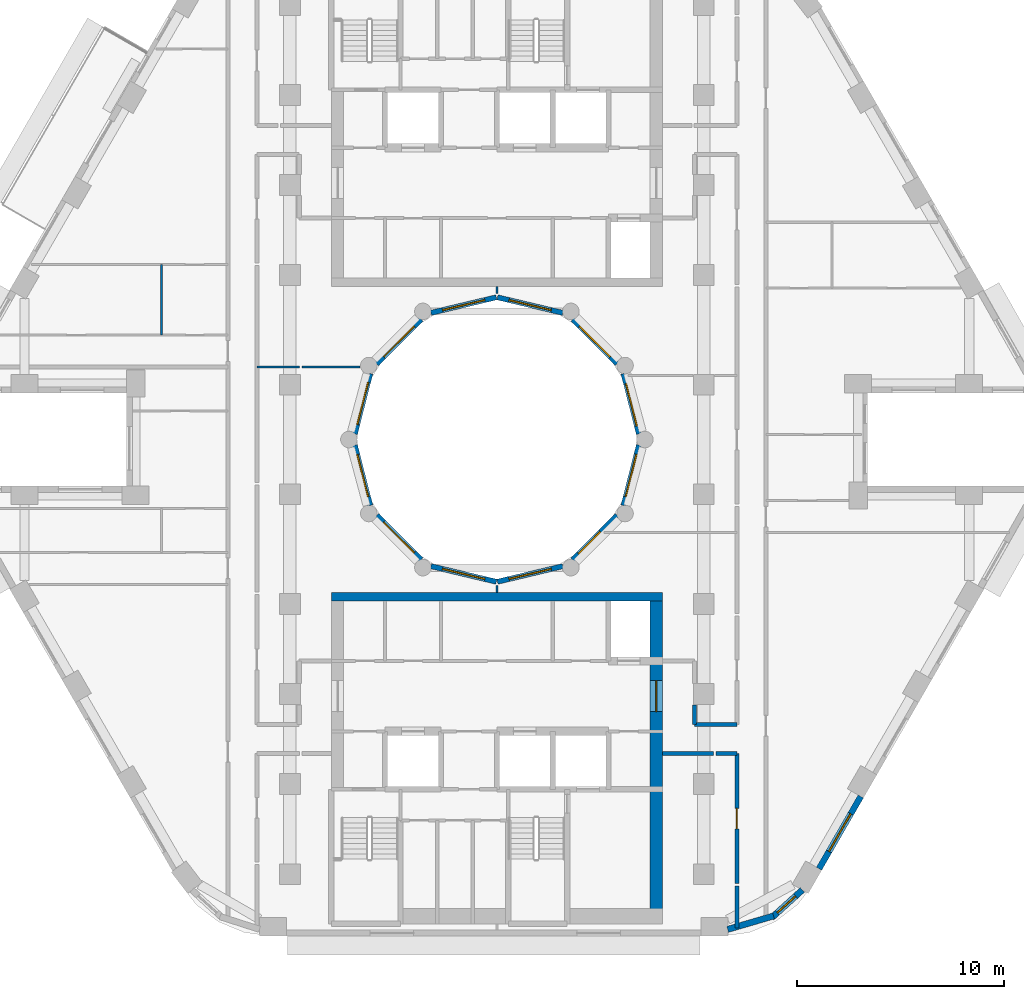
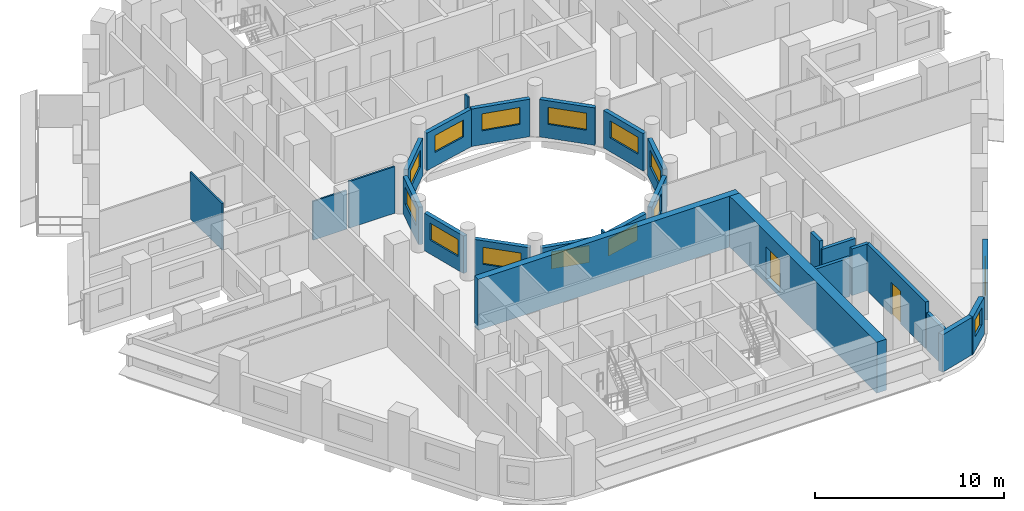
# One storey, part 5 of 13: 28 walls, 14 windows, 2 doors, 16 openings.
"""IFC4 building model written with IfcOpenShell, lengths in metres."""

from ifc_helpers import new_model, si_unit, direction, frame, frame_2d, origin, place, context, subcontext, project, spatial, rectangle, extrude, material, layer, layer_set, type_object, element, fill, save


model = new_model("IFC4")

# Units and contexts
model_context = context("Model", 3, precision=1e-05, world=origin(), true_north=direction((0.0, 1.0)))
body_context = subcontext(model_context, "Body", "Model", "MODEL_VIEW")
ifc_project = project(units=[si_unit("LENGTHUNIT", "METRE"), si_unit("AREAUNIT", "SQUARE_METRE"), si_unit("VOLUMEUNIT", "CUBIC_METRE"), si_unit("PLANEANGLEUNIT", "RADIAN"), si_unit("MASSUNIT", "GRAM", prefix="KILO")], contexts=[model_context])

# Site, building, storey
site_placement = place(None, origin())
site = spatial("IfcSite", under=ifc_project, at=site_placement, CompositionType="ELEMENT")
building_placement = place(site_placement, origin())
building = spatial("IfcBuilding", under=site, at=building_placement, Name="Nakaniwa Court", CompositionType="ELEMENT")
storey_placement = place(building_placement, frame((0.0, 0.0, 143.699951171875)))
storey = spatial("IfcBuildingStorey", under=building, at=storey_placement, Name="L37", CompositionType="ELEMENT", Elevation=143.699951171875)

# Wall
ifc_material_1 = material(Name="Acoustic double stud partition")
ifc_layer_1 = layer(ifc_material_1, 0.199951171875)
ifc_layer_set_1 = layer_set([ifc_layer_1], Name="Acoustic double stud partition")
wall_type_1 = type_object("IfcWallType", Name="Acoustic double stud partition 200", PredefinedType="PARTITIONING", material=ifc_layer_set_1)
wall_1_placement = place(storey_placement, frame((91.60009765625, 56.40087890625, 0.0), z_axis=(0.0, 0.0, 1.0), x_axis=(0.0, 1.0, 0.0)))
element("IfcWall", 1, at=wall_1_placement, inside=storey, type_object=wall_type_1, Name="Partition PW-071", PredefinedType="PARTITIONING", context=body_context, shape_type="SweptSolid", body=[
    extrude(rectangle(XDim=2.02197265625, YDim=0.199951171875, at=frame_2d((1.010986328125, 0.0))), origin(), (0.0, 0.0, 1.0), 2.405029296875),
])

# Wall, opening, door
wall_2_placement = place(storey_placement, frame((91.60009765625, 58.537109375, 0.0), z_axis=(0.0, 0.0, 1.0), x_axis=(0.0, 1.0, 0.0)))
wall_2 = element("IfcWall", 2, at=wall_2_placement, inside=storey, type_object=wall_type_1, Name="Partition PW-072", PredefinedType="PARTITIONING", context=body_context, shape_type="SweptSolid", body=[
    extrude(rectangle(XDim=6.287841796875, YDim=0.199951171875, at=frame_2d((3.14404296875, 0.0))), origin(), (0.0, 0.0, 1.0), 3.025146484375),
])
opening_1_placement = place(wall_2_placement, frame((2.64501953125, 0.0, 0.0)))
opening_1 = element("IfcOpeningElement", 3, at=opening_1_placement, cuts=wall_2, Name="Opening D-02-01", PredefinedType="OPENING", context=body_context, shape_type="SweptSolid", body=[
    extrude(rectangle(XDim=1.0, YDim=2.10009765625, at=frame_2d((0.5, 1.050048828125))), frame((0.0, 0.10986328125, 0.0), z_axis=(0.0, -1.0, 0.0), x_axis=(1.0, 0.0, 0.0)), (0.0, 0.0, 1.0), 0.219970703125),
])
ifc_material_2 = material(Name="Solid core timber door set, black veneer", Category="wood")
door_type_1 = type_object("IfcDoorType", Name="Internal door 1000", OperationType="NOTDEFINED", PredefinedType="DOOR", material=ifc_material_2)
door_1_placement = place(opening_1_placement, origin())
door_1 = element("IfcDoor", 4, at=door_1_placement, inside=storey, type_object=door_type_1, Name="Door D-02-01 L37-027", OperationType="SINGLE_SWING_RIGHT", OverallHeight=2.10009765625, OverallWidth=1.0, PredefinedType="DOOR", context=body_context, shape_type="SweptSolid", body=[
    extrude(rectangle(XDim=1.0, YDim=2.10009765625, at=frame_2d((0.5, 1.050048828125))), frame((0.0, 0.02490234375, 0.0), z_axis=(0.0, -1.0, 0.0), x_axis=(1.0, 0.0, 0.0)), (0.0, 0.0, 1.0), 0.050048828125),
])
fill(opening_1, door_1)

# Walls
wall_3_placement = place(storey_placement, frame((88.0, 64.824951171875, 0.0), z_axis=(0.0, 0.0, 1.0), x_axis=(1.0, 0.0, 0.0)))
element("IfcWall", 5, at=wall_3_placement, inside=storey, type_object=wall_type_1, Name="Partition PW-081", PredefinedType="PARTITIONING", context=body_context, shape_type="SweptSolid", body=[
    extrude(rectangle(XDim=2.462890625, YDim=0.199951171875, at=frame_2d((1.2314453125, 0.0))), origin(), (0.0, 0.0, 1.0), 2.505126953125),
])
wall_4_placement = place(storey_placement, frame((90.5771484375, 64.824951171875, 0.0), z_axis=(0.0, 0.0, 1.0), x_axis=(1.0, 0.0, 0.0)))
element("IfcWall", 6, at=wall_4_placement, inside=storey, type_object=wall_type_1, Name="Partition PW-082", PredefinedType="PARTITIONING", context=body_context, shape_type="SweptSolid", body=[
    extrude(rectangle(XDim=1.02294921875, YDim=0.199951171875, at=frame_2d((0.511474609375, 0.0))), origin(), (0.0, 0.0, 1.0), 3.025146484375),
])
wall_5_placement = place(storey_placement, frame((89.550048828125, 66.22509765625, 0.0), z_axis=(0.0, 0.0, 1.0), x_axis=(0.0, 1.0, 0.0)))
element("IfcWall", 7, at=wall_5_placement, inside=storey, type_object=wall_type_1, Name="Partition PW-086", PredefinedType="PARTITIONING", context=body_context, shape_type="SweptSolid", body=[
    extrude(rectangle(XDim=0.957763671875, YDim=0.199951171875, at=frame_2d((0.47900390625, 0.0))), origin(), (0.0, 0.0, 1.0), 3.025146484375),
])
wall_6_placement = place(storey_placement, frame((89.550048828125, 66.22509765625, 0.0), z_axis=(0.0, 0.0, 1.0), x_axis=(1.0, 0.0, 0.0)))
element("IfcWall", 8, at=wall_6_placement, inside=storey, type_object=wall_type_1, Name="Partition PW-091", PredefinedType="PARTITIONING", context=body_context, shape_type="SweptSolid", body=[
    extrude(rectangle(XDim=2.050048828125, YDim=0.199951171875, at=frame_2d((1.02490234375, 0.0))), origin(), (0.0, 0.0, 1.0), 2.505126953125),
])
ifc_material_3 = material(Name="Charcoal ceramic cladding")
ifc_layer_2 = layer(ifc_material_3, 0.02, Name="Ceramic cladding")
ifc_material_4 = material(Name="Ventilated air cavity")
ifc_layer_3 = layer(ifc_material_4, 0.04, ventilated=True, Name="Ventilated cavity")
ifc_material_5 = material(Name="Mineral wool insulation")
ifc_layer_4 = layer(ifc_material_5, 0.1, Name="Insulation")
ifc_material_6 = material(Name="Cement bonded sheathing board")
ifc_layer_5 = layer(ifc_material_6, 0.012, Name="Sheathing")
ifc_material_7 = material(Name="Cold-formed galvanised stud frame with mineral wool infill")
ifc_layer_6 = layer(ifc_material_7, 0.1, Name="Stud frame")
ifc_material_8 = material(Name="Fire-rated gypsum plasterboard lining")
ifc_layer_7 = layer(ifc_material_8, 0.028, Name="Lining")
ifc_layer_set_2 = layer_set([ifc_layer_2, ifc_layer_3, ifc_layer_4, ifc_layer_5, ifc_layer_6, ifc_layer_7], Name="Charcoal ceramic faced external wall system")
wall_type_2 = type_object("IfcWallType", Name="Black ceramic faced external wall 300", PredefinedType="SOLIDWALL", material=ifc_layer_set_2)
wall_7_placement = place(storey_placement, frame((91.1533203125, 56.328125, 0.0), z_axis=(0.0, 0.0, 1.0), x_axis=(0.959473072336, 0.281800325517, 0.0)))
element("IfcWall", 9, at=wall_7_placement, inside=storey, type_object=wall_type_2, Name="L37 external wall 27", PredefinedType="SOLIDWALL", context=body_context, shape_type="SweptSolid", body=[
    extrude(rectangle(XDim=2.3115234375, YDim=0.300048828125, at=frame_2d((1.15576171875, 0.0))), origin(), (0.0, 0.0, 1.0), 2.425048828125),
])

# Wall, opening, window
wall_8_placement = place(storey_placement, frame((93.2783203125, 56.890380859375, 0.0), z_axis=(0.0, 0.0, 1.0), x_axis=(0.740652597499, 0.671888182526, 0.0)))
wall_8 = element("IfcWall", 10, at=wall_8_placement, inside=storey, type_object=wall_type_2, Name="L37 external wall 28", PredefinedType="SOLIDWALL", context=body_context, shape_type="SweptSolid", body=[
    extrude(rectangle(XDim=1.998779296875, YDim=0.300048828125, at=frame_2d((0.99951171875, 0.0))), origin(), (0.0, 0.0, 1.0), 2.425048828125),
])
opening_2_placement = place(wall_8_placement, frame((0.359619140625, 0.0, 0.89990234375)))
opening_2 = element("IfcOpeningElement", 11, at=opening_2_placement, cuts=wall_8, Name="Opening W6.29", PredefinedType="OPENING", context=body_context, shape_type="SweptSolid", body=[
    extrude(rectangle(XDim=1.199951171875, YDim=1.10009765625, at=frame_2d((0.60009765625, 0.550048828125))), frame((0.0, 0.159912109375, 0.0), z_axis=(0.0, -1.0, 0.0), x_axis=(1.0, 0.0, 0.0)), (0.0, 0.0, 1.0), 0.320068359375),
])
ifc_material_9 = material(Name="Black anodised aluminium frame with dark low-E laminated double glazing", Category="aluminium")
window_type_1 = type_object("IfcWindowType", Name="Dark glass window 1200x1100 sill 900", PartitioningType="SINGLE_PANEL", PredefinedType="WINDOW", material=ifc_material_9)
window_1_placement = place(opening_2_placement, origin())
window_1 = element("IfcWindow", 12, at=window_1_placement, inside=storey, type_object=window_type_1, Name="L37 habitable room window 28-0", OverallHeight=1.10009765625, OverallWidth=1.199951171875, PartitioningType="SINGLE_PANEL", PredefinedType="WINDOW", context=body_context, shape_type="SweptSolid", body=[
    extrude(rectangle(XDim=1.199951171875, YDim=1.10009765625, at=frame_2d((0.60009765625, 0.550048828125))), frame((0.0, 0.030029296875, 0.0), z_axis=(0.0, -1.0, 0.0), x_axis=(1.0, 0.0, 0.0)), (0.0, 0.0, 1.0), 0.06005859375),
])
fill(opening_2, window_1)

wall_9_placement = place(storey_placement, frame((95.565185546875, 59.260009765625, 0.0), z_axis=(0.0, 0.0, 1.0), x_axis=(0.500031546601, 0.86600718958, 0.0)))
wall_9 = element("IfcWall", 13, at=wall_9_placement, inside=storey, type_object=wall_type_2, Name="L37 external wall 29", PredefinedType="SOLIDWALL", context=body_context, shape_type="SweptSolid", body=[
    extrude(rectangle(XDim=4.033935546875, YDim=0.300048828125, at=frame_2d((2.01708984375, 0.0))), origin(), (0.0, 0.0, 1.0), 2.425048828125),
])
opening_3_placement = place(wall_9_placement, frame((0.967041015625, 0.0, 0.89990234375)))
opening_3 = element("IfcOpeningElement", 14, at=opening_3_placement, cuts=wall_9, Name="Opening W7.30", PredefinedType="OPENING", context=body_context, shape_type="SweptSolid", body=[
    extrude(rectangle(XDim=2.10009765625, YDim=1.10009765625, at=frame_2d((1.050048828125, 0.550048828125))), frame((0.0, 0.159912109375, 0.0), z_axis=(0.0, -1.0, 0.0), x_axis=(1.0, 0.0, 0.0)), (0.0, 0.0, 1.0), 0.320068359375),
])
window_type_2 = type_object("IfcWindowType", Name="Dark glass window 2100x1100 sill 900", PartitioningType="SINGLE_PANEL", PredefinedType="WINDOW", material=ifc_material_9)
window_2_placement = place(opening_3_placement, origin())
window_2 = element("IfcWindow", 15, at=window_2_placement, inside=storey, type_object=window_type_2, Name="L37 habitable room window 29-0", OverallHeight=1.10009765625, OverallWidth=2.10009765625, PartitioningType="SINGLE_PANEL", PredefinedType="WINDOW", context=body_context, shape_type="SweptSolid", body=[
    extrude(rectangle(XDim=2.10009765625, YDim=1.10009765625, at=frame_2d((1.050048828125, 0.550048828125))), frame((0.0, 0.030029296875, 0.0), z_axis=(0.0, -1.0, 0.0), x_axis=(1.0, 0.0, 0.0)), (0.0, 0.0, 1.0), 0.06005859375),
])
fill(opening_3, window_2)

ifc_layer_8 = layer(ifc_material_3, 0.02, Name="Ceramic cladding")
ifc_layer_9 = layer(ifc_material_4, 0.04, ventilated=True, Name="Ventilated cavity")
ifc_layer_10 = layer(ifc_material_5, 0.075, Name="Insulation")
ifc_layer_11 = layer(ifc_material_6, 0.012, Name="Sheathing")
ifc_layer_12 = layer(ifc_material_7, 0.075, Name="Stud frame")
ifc_layer_13 = layer(ifc_material_8, 0.028, Name="Lining")
ifc_layer_set_3 = layer_set([ifc_layer_8, ifc_layer_9, ifc_layer_10, ifc_layer_11, ifc_layer_12, ifc_layer_13], Name="Charcoal ceramic faced external wall system")
wall_type_3 = type_object("IfcWallType", Name="Charcoal ceramic faced well wall 250", PredefinedType="SOLIDWALL", material=ifc_layer_set_3)
wall_10_placement = place(storey_placement, frame((86.8603515625, 79.72998046875, 0.0), z_axis=(0.0, 0.0, 1.0), x_axis=(-0.247055971283, -0.969001211069, 0.0)))
wall_10 = element("IfcWall", 16, at=wall_10_placement, inside=storey, type_object=wall_type_3, Name="L37 external wall 36", PredefinedType="SOLIDWALL", context=body_context, shape_type="SweptSolid", body=[
    extrude(rectangle(XDim=3.010009765625, YDim=0.25, at=frame_2d((1.5048828125, 0.0))), origin(), (0.0, 0.0, 1.0), 2.425048828125),
])
opening_4_placement = place(wall_10_placement, frame((0.46875, 0.0, 0.89990234375)))
opening_4 = element("IfcOpeningElement", 17, at=opening_4_placement, cuts=wall_10, Name="Opening W7.36", PredefinedType="OPENING", context=body_context, shape_type="SweptSolid", body=[
    extrude(rectangle(XDim=2.10009765625, YDim=1.10009765625, at=frame_2d((1.050048828125, 0.550048828125))), frame((0.0, 0.135009765625, 0.0), z_axis=(0.0, -1.0, 0.0), x_axis=(1.0, 0.0, 0.0)), (0.0, 0.0, 1.0), 0.27001953125),
])
window_3_placement = place(opening_4_placement, origin())
window_3 = element("IfcWindow", 18, at=window_3_placement, inside=storey, type_object=window_type_2, Name="L37 habitable room window 36-0", OverallHeight=1.10009765625, OverallWidth=2.10009765625, PartitioningType="SINGLE_PANEL", PredefinedType="WINDOW", context=body_context, shape_type="SweptSolid", body=[
    extrude(rectangle(XDim=2.10009765625, YDim=1.10009765625, at=frame_2d((1.050048828125, 0.550048828125))), frame((0.0, 0.030029296875, 0.0), z_axis=(0.0, -1.0, 0.0), x_axis=(1.0, 0.0, 0.0)), (0.0, 0.0, 1.0), 0.06005859375),
])
fill(opening_4, window_3)

wall_11_placement = place(storey_placement, frame((85.8056640625, 76.339111328125, 0.0), z_axis=(0.0, 0.0, 1.0), x_axis=(-0.707106781187, -0.707106781187, 0.0)))
wall_11 = element("IfcWall", 19, at=wall_11_placement, inside=storey, type_object=wall_type_3, Name="L37 external wall 37", PredefinedType="SOLIDWALL", context=body_context, shape_type="SweptSolid", body=[
    extrude(rectangle(XDim=3.033203125, YDim=0.25, at=frame_2d((1.5166015625, 0.0))), origin(), (0.0, 0.0, 1.0), 2.425048828125),
])
opening_5_placement = place(wall_11_placement, frame((1.13427734375, 0.0, 0.89990234375)))
opening_5 = element("IfcOpeningElement", 20, at=opening_5_placement, cuts=wall_11, Name="Opening W5.37", PredefinedType="OPENING", context=body_context, shape_type="SweptSolid", body=[
    extrude(rectangle(XDim=1.5, YDim=1.10009765625, at=frame_2d((0.75, 0.550048828125))), frame((0.0, 0.135009765625, 0.0), z_axis=(0.0, -1.0, 0.0), x_axis=(1.0, 0.0, 0.0)), (0.0, 0.0, 1.0), 0.27001953125),
])
window_type_3 = type_object("IfcWindowType", Name="Dark glass window 1500x1100 sill 900", PartitioningType="SINGLE_PANEL", PredefinedType="WINDOW", material=ifc_material_9)
window_4_placement = place(opening_5_placement, origin())
window_4 = element("IfcWindow", 21, at=window_4_placement, inside=storey, type_object=window_type_3, Name="L37 habitable room window 37-1", OverallHeight=1.10009765625, OverallWidth=1.5, PartitioningType="SINGLE_PANEL", PredefinedType="WINDOW", context=body_context, shape_type="SweptSolid", body=[
    extrude(rectangle(XDim=1.5, YDim=1.10009765625, at=frame_2d((0.75, 0.550048828125))), frame((0.0, 0.030029296875, 0.0), z_axis=(0.0, -1.0, 0.0), x_axis=(1.0, 0.0, 0.0)), (0.0, 0.0, 1.0), 0.06005859375),
])
fill(opening_5, window_4)

wall_12_placement = place(storey_placement, frame((83.186279296875, 73.880615234375, 0.0), z_axis=(0.0, 0.0, 1.0), x_axis=(-0.972773113459, -0.231759508395, 0.0)))
wall_12 = element("IfcWall", 22, at=wall_12_placement, inside=storey, type_object=wall_type_3, Name="L37 external wall 38", PredefinedType="SOLIDWALL", context=body_context, shape_type="SweptSolid", body=[
    extrude(rectangle(XDim=3.24560546875, YDim=0.25, at=frame_2d((1.622802734375, 0.0))), origin(), (0.0, 0.0, 1.0), 2.425048828125),
])
opening_6_placement = place(wall_12_placement, frame((0.57275390625, 0.0, 0.89990234375)))
opening_6 = element("IfcOpeningElement", 23, at=opening_6_placement, cuts=wall_12, Name="Opening W7.38", PredefinedType="OPENING", context=body_context, shape_type="SweptSolid", body=[
    extrude(rectangle(XDim=2.10009765625, YDim=1.10009765625, at=frame_2d((1.050048828125, 0.550048828125))), frame((0.0, 0.135009765625, 0.0), z_axis=(0.0, -1.0, 0.0), x_axis=(1.0, 0.0, 0.0)), (0.0, 0.0, 1.0), 0.27001953125),
])
window_5_placement = place(opening_6_placement, origin())
window_5 = element("IfcWindow", 24, at=window_5_placement, inside=storey, type_object=window_type_2, Name="L37 habitable room window 38-0", OverallHeight=1.10009765625, OverallWidth=2.10009765625, PartitioningType="SINGLE_PANEL", PredefinedType="WINDOW", context=body_context, shape_type="SweptSolid", body=[
    extrude(rectangle(XDim=2.10009765625, YDim=1.10009765625, at=frame_2d((1.050048828125, 0.550048828125))), frame((0.0, 0.030029296875, 0.0), z_axis=(0.0, -1.0, 0.0), x_axis=(1.0, 0.0, 0.0)), (0.0, 0.0, 1.0), 0.06005859375),
])
fill(opening_6, window_5)

wall_13_placement = place(storey_placement, frame((79.970947265625, 73.12841796875, 0.0), z_axis=(0.0, 0.0, 1.0), x_axis=(-0.972773113459, 0.231759508395, 0.0)))
wall_13 = element("IfcWall", 25, at=wall_13_placement, inside=storey, type_object=wall_type_3, Name="L37 external wall 39", PredefinedType="SOLIDWALL", context=body_context, shape_type="SweptSolid", body=[
    extrude(rectangle(XDim=3.24560546875, YDim=0.25, at=frame_2d((1.622802734375, 0.0))), origin(), (0.0, 0.0, 1.0), 2.425048828125),
])
opening_7_placement = place(wall_13_placement, frame((0.57275390625, 0.0, 0.89990234375)))
opening_7 = element("IfcOpeningElement", 26, at=opening_7_placement, cuts=wall_13, Name="Opening W7.39", PredefinedType="OPENING", context=body_context, shape_type="SweptSolid", body=[
    extrude(rectangle(XDim=2.10009765625, YDim=1.10009765625, at=frame_2d((1.050048828125, 0.550048828125))), frame((0.0, 0.135009765625, 0.0), z_axis=(0.0, -1.0, 0.0), x_axis=(1.0, 0.0, 0.0)), (0.0, 0.0, 1.0), 0.27001953125),
])
window_6_placement = place(opening_7_placement, origin())
window_6 = element("IfcWindow", 27, at=window_6_placement, inside=storey, type_object=window_type_2, Name="L37 habitable room window 39-0", OverallHeight=1.10009765625, OverallWidth=2.10009765625, PartitioningType="SINGLE_PANEL", PredefinedType="WINDOW", context=body_context, shape_type="SweptSolid", body=[
    extrude(rectangle(XDim=2.10009765625, YDim=1.10009765625, at=frame_2d((1.050048828125, 0.550048828125))), frame((0.0, 0.030029296875, 0.0), z_axis=(0.0, -1.0, 0.0), x_axis=(1.0, 0.0, 0.0)), (0.0, 0.0, 1.0), 0.06005859375),
])
fill(opening_7, window_6)

wall_14_placement = place(storey_placement, frame((76.339111328125, 74.1943359375, 0.0), z_axis=(0.0, 0.0, 1.0), x_axis=(-0.707106781187, 0.707106781187, 0.0)))
wall_14 = element("IfcWall", 28, at=wall_14_placement, inside=storey, type_object=wall_type_3, Name="L37 external wall 40", PredefinedType="SOLIDWALL", context=body_context, shape_type="SweptSolid", body=[
    extrude(rectangle(XDim=3.033203125, YDim=0.25, at=frame_2d((1.5166015625, 0.0))), origin(), (0.0, 0.0, 1.0), 2.425048828125),
])
opening_8_placement = place(wall_14_placement, frame((0.466552734375, 0.0, 0.89990234375)))
opening_8 = element("IfcOpeningElement", 29, at=opening_8_placement, cuts=wall_14, Name="Opening W7.40", PredefinedType="OPENING", context=body_context, shape_type="SweptSolid", body=[
    extrude(rectangle(XDim=2.10009765625, YDim=1.10009765625, at=frame_2d((1.050048828125, 0.550048828125))), frame((0.0, 0.135009765625, 0.0), z_axis=(0.0, -1.0, 0.0), x_axis=(1.0, 0.0, 0.0)), (0.0, 0.0, 1.0), 0.27001953125),
])
window_7_placement = place(opening_8_placement, origin())
window_7 = element("IfcWindow", 30, at=window_7_placement, inside=storey, type_object=window_type_2, Name="L37 habitable room window 40-0", OverallHeight=1.10009765625, OverallWidth=2.10009765625, PartitioningType="SINGLE_PANEL", PredefinedType="WINDOW", context=body_context, shape_type="SweptSolid", body=[
    extrude(rectangle(XDim=2.10009765625, YDim=1.10009765625, at=frame_2d((1.050048828125, 0.550048828125))), frame((0.0, 0.030029296875, 0.0), z_axis=(0.0, -1.0, 0.0), x_axis=(1.0, 0.0, 0.0)), (0.0, 0.0, 1.0), 0.06005859375),
])
fill(opening_8, window_7)

wall_15_placement = place(storey_placement, frame((73.88330078125, 76.813232421875, 0.0), z_axis=(0.0, 0.0, 1.0), x_axis=(-0.247055971283, 0.969001211069, 0.0)))
wall_15 = element("IfcWall", 31, at=wall_15_placement, inside=storey, type_object=wall_type_3, Name="L37 external wall 41", PredefinedType="SOLIDWALL", context=body_context, shape_type="SweptSolid", body=[
    extrude(rectangle(XDim=3.010009765625, YDim=0.25, at=frame_2d((1.5048828125, 0.0))), origin(), (0.0, 0.0, 1.0), 2.425048828125),
])
opening_9_placement = place(wall_15_placement, frame((0.441162109375, 0.0, 0.89990234375)))
opening_9 = element("IfcOpeningElement", 32, at=opening_9_placement, cuts=wall_15, Name="Opening W7.41", PredefinedType="OPENING", context=body_context, shape_type="SweptSolid", body=[
    extrude(rectangle(XDim=2.10009765625, YDim=1.10009765625, at=frame_2d((1.050048828125, 0.550048828125))), frame((0.0, 0.135009765625, 0.0), z_axis=(0.0, -1.0, 0.0), x_axis=(1.0, 0.0, 0.0)), (0.0, 0.0, 1.0), 0.27001953125),
])
window_8_placement = place(opening_9_placement, origin())
window_8 = element("IfcWindow", 33, at=window_8_placement, inside=storey, type_object=window_type_2, Name="L37 habitable room window 41-0", OverallHeight=1.10009765625, OverallWidth=2.10009765625, PartitioningType="SINGLE_PANEL", PredefinedType="WINDOW", context=body_context, shape_type="SweptSolid", body=[
    extrude(rectangle(XDim=2.10009765625, YDim=1.10009765625, at=frame_2d((1.050048828125, 0.550048828125))), frame((0.0, 0.030029296875, 0.0), z_axis=(0.0, -1.0, 0.0), x_axis=(1.0, 0.0, 0.0)), (0.0, 0.0, 1.0), 0.06005859375),
])
fill(opening_9, window_8)

wall_16_placement = place(storey_placement, frame((73.1396484375, 80.27001953125, 0.0), z_axis=(0.0, 0.0, 1.0), x_axis=(0.247055971283, 0.969001211069, 0.0)))
wall_16 = element("IfcWall", 34, at=wall_16_placement, inside=storey, type_object=wall_type_3, Name="L37 external wall 42", PredefinedType="SOLIDWALL", context=body_context, shape_type="SweptSolid", body=[
    extrude(rectangle(XDim=3.010009765625, YDim=0.25, at=frame_2d((1.5048828125, 0.0))), origin(), (0.0, 0.0, 1.0), 2.425048828125),
])
opening_10_placement = place(wall_16_placement, frame((0.46875, 0.0, 0.89990234375)))
opening_10 = element("IfcOpeningElement", 35, at=opening_10_placement, cuts=wall_16, Name="Opening W7.42", PredefinedType="OPENING", context=body_context, shape_type="SweptSolid", body=[
    extrude(rectangle(XDim=2.10009765625, YDim=1.10009765625, at=frame_2d((1.050048828125, 0.550048828125))), frame((0.0, 0.135009765625, 0.0), z_axis=(0.0, -1.0, 0.0), x_axis=(1.0, 0.0, 0.0)), (0.0, 0.0, 1.0), 0.27001953125),
])
window_9_placement = place(opening_10_placement, origin())
window_9 = element("IfcWindow", 36, at=window_9_placement, inside=storey, type_object=window_type_2, Name="L37 habitable room window 42-0", OverallHeight=1.10009765625, OverallWidth=2.10009765625, PartitioningType="SINGLE_PANEL", PredefinedType="WINDOW", context=body_context, shape_type="SweptSolid", body=[
    extrude(rectangle(XDim=2.10009765625, YDim=1.10009765625, at=frame_2d((1.050048828125, 0.550048828125))), frame((0.0, 0.030029296875, 0.0), z_axis=(0.0, -1.0, 0.0), x_axis=(1.0, 0.0, 0.0)), (0.0, 0.0, 1.0), 0.06005859375),
])
fill(opening_10, window_9)

wall_17_placement = place(storey_placement, frame((74.1943359375, 83.660888671875, 0.0), z_axis=(0.0, 0.0, 1.0), x_axis=(0.707106781187, 0.707106781187, 0.0)))
wall_17 = element("IfcWall", 37, at=wall_17_placement, inside=storey, type_object=wall_type_3, Name="L37 external wall 43", PredefinedType="SOLIDWALL", context=body_context, shape_type="SweptSolid", body=[
    extrude(rectangle(XDim=3.033203125, YDim=0.25, at=frame_2d((1.5166015625, 0.0))), origin(), (0.0, 0.0, 1.0), 2.425048828125),
])
opening_11_placement = place(wall_17_placement, frame((0.466552734375, 0.0, 0.89990234375)))
opening_11 = element("IfcOpeningElement", 38, at=opening_11_placement, cuts=wall_17, Name="Opening W7.43", PredefinedType="OPENING", context=body_context, shape_type="SweptSolid", body=[
    extrude(rectangle(XDim=2.10009765625, YDim=1.10009765625, at=frame_2d((1.050048828125, 0.550048828125))), frame((0.0, 0.135009765625, 0.0), z_axis=(0.0, -1.0, 0.0), x_axis=(1.0, 0.0, 0.0)), (0.0, 0.0, 1.0), 0.27001953125),
])
window_10_placement = place(opening_11_placement, origin())
window_10 = element("IfcWindow", 39, at=window_10_placement, inside=storey, type_object=window_type_2, Name="L37 habitable room window 43-0", OverallHeight=1.10009765625, OverallWidth=2.10009765625, PartitioningType="SINGLE_PANEL", PredefinedType="WINDOW", context=body_context, shape_type="SweptSolid", body=[
    extrude(rectangle(XDim=2.10009765625, YDim=1.10009765625, at=frame_2d((1.050048828125, 0.550048828125))), frame((0.0, 0.030029296875, 0.0), z_axis=(0.0, -1.0, 0.0), x_axis=(1.0, 0.0, 0.0)), (0.0, 0.0, 1.0), 0.06005859375),
])
fill(opening_11, window_10)

wall_18_placement = place(storey_placement, frame((76.813720703125, 86.119384765625, 0.0), z_axis=(0.0, 0.0, 1.0), x_axis=(0.972773113459, 0.231759508395, 0.0)))
wall_18 = element("IfcWall", 40, at=wall_18_placement, inside=storey, type_object=wall_type_3, Name="L37 external wall 44", PredefinedType="SOLIDWALL", context=body_context, shape_type="SweptSolid", body=[
    extrude(rectangle(XDim=3.24560546875, YDim=0.25, at=frame_2d((1.622802734375, 0.0))), origin(), (0.0, 0.0, 1.0), 2.425048828125),
])
opening_12_placement = place(wall_18_placement, frame((0.57275390625, 0.0, 0.89990234375)))
opening_12 = element("IfcOpeningElement", 41, at=opening_12_placement, cuts=wall_18, Name="Opening W7.44", PredefinedType="OPENING", context=body_context, shape_type="SweptSolid", body=[
    extrude(rectangle(XDim=2.10009765625, YDim=1.10009765625, at=frame_2d((1.050048828125, 0.550048828125))), frame((0.0, 0.135009765625, 0.0), z_axis=(0.0, -1.0, 0.0), x_axis=(1.0, 0.0, 0.0)), (0.0, 0.0, 1.0), 0.27001953125),
])
window_11_placement = place(opening_12_placement, origin())
window_11 = element("IfcWindow", 42, at=window_11_placement, inside=storey, type_object=window_type_2, Name="L37 habitable room window 44-0", OverallHeight=1.10009765625, OverallWidth=2.10009765625, PartitioningType="SINGLE_PANEL", PredefinedType="WINDOW", context=body_context, shape_type="SweptSolid", body=[
    extrude(rectangle(XDim=2.10009765625, YDim=1.10009765625, at=frame_2d((1.050048828125, 0.550048828125))), frame((0.0, 0.030029296875, 0.0), z_axis=(0.0, -1.0, 0.0), x_axis=(1.0, 0.0, 0.0)), (0.0, 0.0, 1.0), 0.06005859375),
])
fill(opening_12, window_11)

wall_19_placement = place(storey_placement, frame((80.029052734375, 86.87158203125, 0.0), z_axis=(0.0, 0.0, 1.0), x_axis=(0.972773113459, -0.231759508395, 0.0)))
wall_19 = element("IfcWall", 43, at=wall_19_placement, inside=storey, type_object=wall_type_3, Name="L37 external wall 45", PredefinedType="SOLIDWALL", context=body_context, shape_type="SweptSolid", body=[
    extrude(rectangle(XDim=3.24560546875, YDim=0.25, at=frame_2d((1.622802734375, 0.0))), origin(), (0.0, 0.0, 1.0), 2.425048828125),
])
opening_13_placement = place(wall_19_placement, frame((0.57275390625, 0.0, 0.89990234375)))
opening_13 = element("IfcOpeningElement", 44, at=opening_13_placement, cuts=wall_19, Name="Opening W7.45", PredefinedType="OPENING", context=body_context, shape_type="SweptSolid", body=[
    extrude(rectangle(XDim=2.10009765625, YDim=1.10009765625, at=frame_2d((1.050048828125, 0.550048828125))), frame((0.0, 0.135009765625, 0.0), z_axis=(0.0, -1.0, 0.0), x_axis=(1.0, 0.0, 0.0)), (0.0, 0.0, 1.0), 0.27001953125),
])
window_12_placement = place(opening_13_placement, origin())
window_12 = element("IfcWindow", 45, at=window_12_placement, inside=storey, type_object=window_type_2, Name="L37 habitable room window 45-0", OverallHeight=1.10009765625, OverallWidth=2.10009765625, PartitioningType="SINGLE_PANEL", PredefinedType="WINDOW", context=body_context, shape_type="SweptSolid", body=[
    extrude(rectangle(XDim=2.10009765625, YDim=1.10009765625, at=frame_2d((1.050048828125, 0.550048828125))), frame((0.0, 0.030029296875, 0.0), z_axis=(0.0, -1.0, 0.0), x_axis=(1.0, 0.0, 0.0)), (0.0, 0.0, 1.0), 0.06005859375),
])
fill(opening_13, window_12)

wall_20_placement = place(storey_placement, frame((83.660888671875, 85.8056640625, 0.0), z_axis=(0.0, 0.0, 1.0), x_axis=(0.707106781187, -0.707106781187, 0.0)))
wall_20 = element("IfcWall", 46, at=wall_20_placement, inside=storey, type_object=wall_type_3, Name="L37 external wall 46", PredefinedType="SOLIDWALL", context=body_context, shape_type="SweptSolid", body=[
    extrude(rectangle(XDim=3.033203125, YDim=0.25, at=frame_2d((1.5166015625, 0.0))), origin(), (0.0, 0.0, 1.0), 2.425048828125),
])
opening_14_placement = place(wall_20_placement, frame((0.466552734375, 0.0, 0.89990234375)))
opening_14 = element("IfcOpeningElement", 47, at=opening_14_placement, cuts=wall_20, Name="Opening W7.46", PredefinedType="OPENING", context=body_context, shape_type="SweptSolid", body=[
    extrude(rectangle(XDim=2.10009765625, YDim=1.10009765625, at=frame_2d((1.050048828125, 0.550048828125))), frame((0.0, 0.135009765625, 0.0), z_axis=(0.0, -1.0, 0.0), x_axis=(1.0, 0.0, 0.0)), (0.0, 0.0, 1.0), 0.27001953125),
])
window_13_placement = place(opening_14_placement, origin())
window_13 = element("IfcWindow", 48, at=window_13_placement, inside=storey, type_object=window_type_2, Name="L37 habitable room window 46-0", OverallHeight=1.10009765625, OverallWidth=2.10009765625, PartitioningType="SINGLE_PANEL", PredefinedType="WINDOW", context=body_context, shape_type="SweptSolid", body=[
    extrude(rectangle(XDim=2.10009765625, YDim=1.10009765625, at=frame_2d((1.050048828125, 0.550048828125))), frame((0.0, 0.030029296875, 0.0), z_axis=(0.0, -1.0, 0.0), x_axis=(1.0, 0.0, 0.0)), (0.0, 0.0, 1.0), 0.06005859375),
])
fill(opening_14, window_13)

wall_21_placement = place(storey_placement, frame((86.11669921875, 83.186767578125, 0.0), z_axis=(0.0, 0.0, 1.0), x_axis=(0.247055971283, -0.969001211069, 0.0)))
wall_21 = element("IfcWall", 49, at=wall_21_placement, inside=storey, type_object=wall_type_3, Name="L37 external wall 47", PredefinedType="SOLIDWALL", context=body_context, shape_type="SweptSolid", body=[
    extrude(rectangle(XDim=3.010009765625, YDim=0.25, at=frame_2d((1.5048828125, 0.0))), origin(), (0.0, 0.0, 1.0), 2.425048828125),
])
opening_15_placement = place(wall_21_placement, frame((0.509521484375, 0.0, 0.89990234375)))
opening_15 = element("IfcOpeningElement", 50, at=opening_15_placement, cuts=wall_21, Name="Opening W7.47", PredefinedType="OPENING", context=body_context, shape_type="SweptSolid", body=[
    extrude(rectangle(XDim=2.10009765625, YDim=1.10009765625, at=frame_2d((1.050048828125, 0.550048828125))), frame((0.0, 0.135009765625, 0.0), z_axis=(0.0, -1.0, 0.0), x_axis=(1.0, 0.0, 0.0)), (0.0, 0.0, 1.0), 0.27001953125),
])
window_14_placement = place(opening_15_placement, origin())
window_14 = element("IfcWindow", 51, at=window_14_placement, inside=storey, type_object=window_type_2, Name="L37 habitable room window 47-1", OverallHeight=1.10009765625, OverallWidth=2.10009765625, PartitioningType="SINGLE_PANEL", PredefinedType="WINDOW", context=body_context, shape_type="SweptSolid", body=[
    extrude(rectangle(XDim=2.10009765625, YDim=1.10009765625, at=frame_2d((1.050048828125, 0.550048828125))), frame((0.0, 0.030029296875, 0.0), z_axis=(0.0, -1.0, 0.0), x_axis=(1.0, 0.0, 0.0)), (0.0, 0.0, 1.0), 0.06005859375),
])
fill(opening_15, window_14)

# Wall, opening, door
ifc_material_10 = material(Name="Concrete C80/100", Category="concrete")
ifc_layer_14 = layer(ifc_material_10, 0.60009765625)
ifc_layer_set_4 = layer_set([ifc_layer_14], Name="Concrete C80/100")
wall_type_4 = type_object("IfcWallType", Name="Concrete core side wall 600 C80", PredefinedType="SHEAR", material=ifc_layer_set_4)
wall_22_placement = place(storey_placement, frame((87.699951171875, 72.199951171875, -0.27490234375), z_axis=(0.0, 0.0, 1.0), x_axis=(0.0, -1.0, 0.0)))
wall_22 = element("IfcWall", 52, at=wall_22_placement, inside=storey, type_object=wall_type_4, Name="Core wall SW-42", PredefinedType="SHEAR", context=body_context, shape_type="SweptSolid", body=[
    extrude(rectangle(XDim=15.599853515625, YDim=0.60009765625, at=frame_2d((7.7998046875, 0.0))), origin(), (0.0, 0.0, 1.0), 3.300048828125),
])
opening_16_placement = place(wall_22_placement, frame((3.85205078125, 0.0, 0.27490234375)))
opening_16 = element("IfcOpeningElement", 53, at=opening_16_placement, cuts=wall_22, Name="Opening D-07-03", PredefinedType="OPENING", context=body_context, shape_type="SweptSolid", body=[
    extrude(rectangle(XDim=1.5, YDim=2.10009765625, at=frame_2d((0.75, 1.050048828125))), frame((0.0, 0.31005859375, 0.0), z_axis=(0.0, -1.0, 0.0), x_axis=(1.0, 0.0, 0.0)), (0.0, 0.0, 1.0), 0.6201171875),
])
ifc_material_11 = material(Name="Glazed fire rated steel double door set", Category="steel")
door_type_2 = type_object("IfcDoorType", Name="Lobby double door 1500", OperationType="NOTDEFINED", PredefinedType="DOOR", material=ifc_material_11)
door_2_placement = place(opening_16_placement, origin())
door_2 = element("IfcDoor", 54, at=door_2_placement, inside=storey, type_object=door_type_2, Name="Door D-07-03 L37-056", OperationType="DOUBLE_DOOR_SINGLE_SWING", OverallHeight=2.10009765625, OverallWidth=1.5, PredefinedType="DOOR", context=body_context, shape_type="SweptSolid", body=[
    extrude(rectangle(XDim=1.5, YDim=2.10009765625, at=frame_2d((0.75, 1.050048828125))), frame((0.0, 0.02490234375, 0.0), z_axis=(0.0, -1.0, 0.0), x_axis=(1.0, 0.0, 0.0)), (0.0, 0.0, 1.0), 0.050048828125),
])
fill(opening_16, door_2)

# Walls
ifc_layer_15 = layer(ifc_material_10, 0.39990234375)
ifc_layer_set_5 = layer_set([ifc_layer_15], Name="Concrete C80/100")
wall_type_5 = type_object("IfcWallType", Name="Concrete core well wall 400 C80", PredefinedType="SHEAR", material=ifc_layer_set_5)
wall_23_placement = place(storey_placement, frame((72.00390625, 72.39990234375, -0.27490234375), z_axis=(0.0, 0.0, 1.0), x_axis=(1.0, 0.0, 0.0)))
element("IfcWall", 55, at=wall_23_placement, inside=storey, type_object=wall_type_5, Name="Core wall SW-139", PredefinedType="SHEAR", context=body_context, shape_type="SweptSolid", body=[
    extrude(rectangle(XDim=15.9921875, YDim=0.39990234375, at=frame_2d((7.99609375, 0.0))), origin(), (0.0, 0.0, 1.0), 3.300048828125),
])
ifc_material_12 = material(Name="Single stud plasterboard partition")
ifc_layer_16 = layer(ifc_material_12, 0.10009765625)
ifc_layer_set_6 = layer_set([ifc_layer_16], Name="Single stud plasterboard partition")
wall_type_6 = type_object("IfcWallType", Name="Single stud plasterboard partition 100", PredefinedType="PARTITIONING", material=ifc_layer_set_6)
for number, where, z_axis, x_axis, name in (
    (56, (80.0, 72.60009765625, 0.0), (0.0, 0.0, 1.0), (0.0, 1.0, 0.0), "Partition PW-114"),
    (57, (80.0, 87.048095703125, 0.0), (0.0, 0.0, 1.0), (0.0, 1.0, 0.0), "Partition PW-115"),
):
    element("IfcWall", number, at=place(storey_placement, frame(where, z_axis=z_axis, x_axis=x_axis)), inside=storey, type_object=wall_type_6, Name=name, PredefinedType="PARTITIONING", context=body_context, shape_type="SweptSolid", body=[
        extrude(rectangle(XDim=0.351806640625, YDim=0.10009765625, at=frame_2d((0.17578125, 0.0))), origin(), (0.0, 0.0, 1.0), 3.025146484375),
    ])
wall_24_placement = place(storey_placement, frame((68.40087890625, 83.5, 0.0), z_axis=(0.0, 0.0, 1.0), x_axis=(1.0, 0.0, 0.0)))
element("IfcWall", 58, at=wall_24_placement, inside=storey, type_object=wall_type_6, Name="Partition PW-125", PredefinedType="PARTITIONING", context=body_context, shape_type="SweptSolid", body=[
    extrude(rectangle(XDim=2.05908203125, YDim=0.10009765625, at=frame_2d((1.029541015625, 0.0))), origin(), (0.0, 0.0, 1.0), 2.505126953125),
])
wall_25_placement = place(storey_placement, frame((70.580078125, 83.5, 0.0), z_axis=(0.0, 0.0, 1.0), x_axis=(1.0, 0.0, 0.0)))
element("IfcWall", 59, at=wall_25_placement, inside=storey, type_object=wall_type_6, Name="Partition PW-126", PredefinedType="PARTITIONING", context=body_context, shape_type="SweptSolid", body=[
    extrude(rectangle(XDim=2.815185546875, YDim=0.10009765625, at=frame_2d((1.40771484375, 0.0))), origin(), (0.0, 0.0, 1.0), 3.025146484375),
])
wall_26_placement = place(storey_placement, frame((63.799072265625, 85.050048828125, 0.0), z_axis=(0.0, 0.0, 1.0), x_axis=(0.0, 1.0, 0.0)))
element("IfcWall", 60, at=wall_26_placement, inside=storey, type_object=wall_type_6, Name="Partition PW-129", PredefinedType="PARTITIONING", context=body_context, shape_type="SweptSolid", body=[
    extrude(rectangle(XDim=3.39990234375, YDim=0.10009765625, at=frame_2d((1.699951171875, 0.0))), origin(), (0.0, 0.0, 1.0), 3.025146484375),
])

save(model, "model.ifc")
